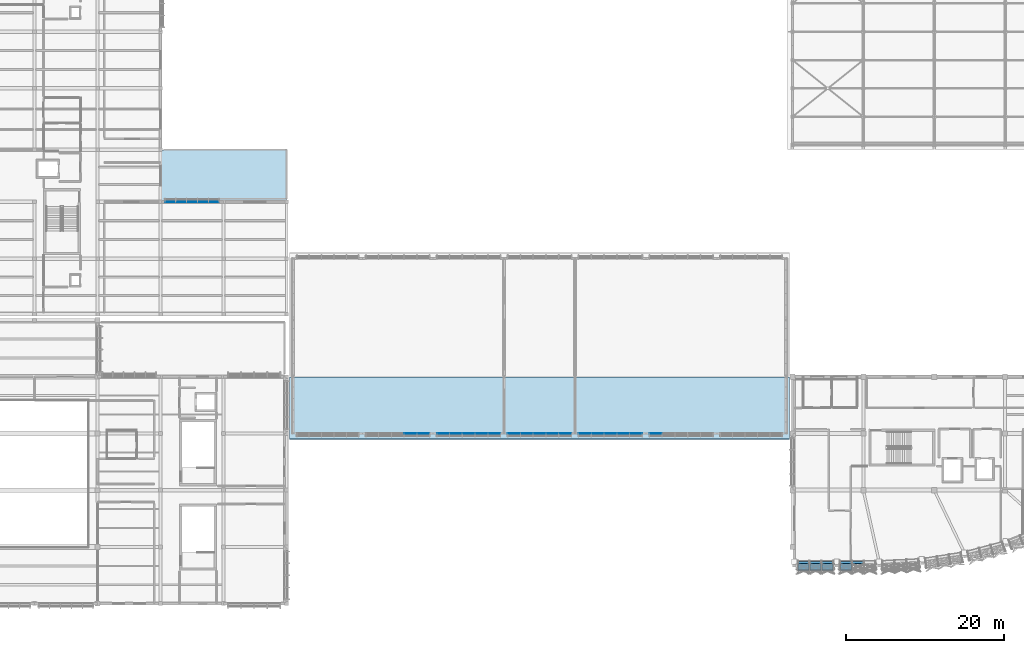
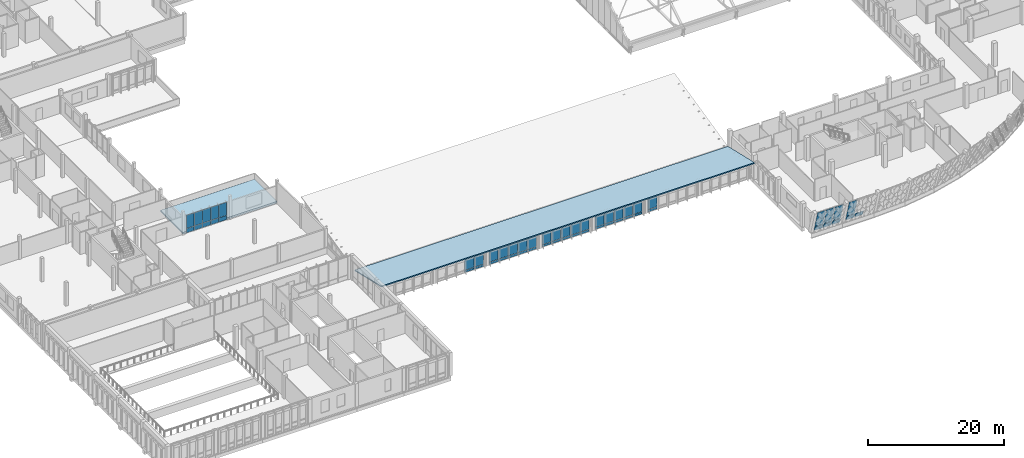
# One storey, part 147 of 182: 55 plates, 2 slabs, 8 elements without a shape of their own.
"""IFC4 building model written with IfcOpenShell, lengths in metres."""

import ifcopenshell
import ifcopenshell.guid

model = None  # the IFC model being written
_history = None  # IfcOwnerHistory: only IFC2X3 demands one
_inside = {}  # id of a spatial element -> (the spatial element, [elements in it])
_under = {}  # id of a project, library or spatial element -> (it, [spatial elements below it])
_declared = {}  # id of a project -> (the project, [libraries it declares])
_typed = {}  # id of a type object -> (the type object, [elements of that type])
_made_of = {}  # id of a material, layer set ... -> (it, [elements and type objects made of it])


def new_model(schema):
    """Start an empty IFC model of exactly this schema.

    Asked for "IFC4X3", IfcOpenShell would pick the latest addendum, in which some entities
    have other attributes; the version numbers below select the first issue.
    IFC2X3 requires an IfcOwnerHistory on every rooted entity: one is made here for all.
    """
    global model, _history
    if schema == "IFC4X3":
        model = ifcopenshell.file(schema_version=(4, 3, 0, 0))
    else:
        model = ifcopenshell.file(schema=schema)
    _inside.clear()
    _under.clear()
    _declared.clear()
    _typed.clear()
    _made_of.clear()
    _history = None
    if model.schema == "IFC2X3":
        org = make("IfcOrganization", Name="unknown")
        user = make(
            "IfcPersonAndOrganization",
            ThePerson=make("IfcPerson", FamilyName="unknown"),
            TheOrganization=org,
        )
        app = make(
            "IfcApplication",
            ApplicationDeveloper=org,
            Version="unknown",
            ApplicationFullName="unknown",
            ApplicationIdentifier="unknown",
        )
        _history = make(
            "IfcOwnerHistory",
            OwningUser=user,
            OwningApplication=app,
            ChangeAction="ADDED",
            CreationDate=0,
        )
    return model


def make(cls, **values):
    """One entity of the class cls with the attributes given. An attribute that is None is left unset."""
    return model.create_entity(
        cls, **{name: value for name, value in values.items() if value is not None}
    )


def rooted(cls, **values):
    """An entity with a GlobalId (a new one), such as an element, a storey or a relation."""
    return make(cls, GlobalId=ifcopenshell.guid.new(), OwnerHistory=_history, **values)


def si_unit(unit_type, name, prefix=None):
    """IfcSIUnit, for example si_unit("LENGTHUNIT", "METRE", prefix="MILLI")."""
    return make("IfcSIUnit", UnitType=unit_type, Prefix=prefix, Name=name)


def assignment(units):
    """IfcUnitAssignment: the units of a project."""
    return None if units is None else make("IfcUnitAssignment", Units=units)


def point(xyz):
    """IfcCartesianPoint."""
    return None if xyz is None else make("IfcCartesianPoint", Coordinates=xyz)


def direction(xyz):
    """IfcDirection."""
    return None if xyz is None else make("IfcDirection", DirectionRatios=xyz)


def frame(location, z_axis=None, x_axis=None):
    """IfcAxis2Placement3D, a coordinate frame: its origin and axes. An axis left out is left unset."""
    return make(
        "IfcAxis2Placement3D",
        Location=point(location),
        Axis=direction(z_axis),
        RefDirection=direction(x_axis),
    )


def frame_2d(location, x_axis=None):
    """IfcAxis2Placement2D, a coordinate frame in the plane: its origin and x axis."""
    return make(
        "IfcAxis2Placement2D", Location=point(location), RefDirection=direction(x_axis)
    )


def origin():
    """The frame at (0, 0, 0) with its axes left unset."""
    return frame((0.0, 0.0, 0.0))


def origin_2d():
    """The frame at (0, 0) in the plane with its x axis left unset."""
    return frame_2d((0.0, 0.0))


def place(relative_to, where):
    """IfcLocalPlacement: puts the frame where relative to a parent placement (None: the world)."""
    return make(
        "IfcLocalPlacement", PlacementRelTo=relative_to, RelativePlacement=where
    )


def context(
    kind, dimensions, precision=None, world=None, true_north=None, identifier=None
):
    """IfcGeometricRepresentationContext, for example the 3D "Model" context."""
    return make(
        "IfcGeometricRepresentationContext",
        ContextIdentifier=identifier,
        ContextType=kind,
        CoordinateSpaceDimension=dimensions,
        Precision=precision,
        WorldCoordinateSystem=world,
        TrueNorth=true_north,
    )


def subcontext(parent, identifier, kind, view, scale=None):
    """IfcGeometricRepresentationSubContext, for example "Body" below "Model"."""
    return make(
        "IfcGeometricRepresentationSubContext",
        ContextIdentifier=identifier,
        ContextType=kind,
        ParentContext=parent,
        TargetScale=scale,
        TargetView=view,
    )


def project(units=None, contexts=None):
    """IfcProject with its units and contexts."""
    return rooted(
        "IfcProject",
        Name="project",
        RepresentationContexts=contexts,
        UnitsInContext=assignment(units),
    )


def spatial(cls, under=None, at=None, **own):
    """A site, building, storey or space (cls), placed at a placement, below another one or the project."""
    s = rooted(cls, ObjectPlacement=at, **own)
    if under is not None:
        _under.setdefault(under.id(), (under, []))[1].append(s)
    return s


def polyline(points):
    """IfcPolyline through the points."""
    return make("IfcPolyline", Points=[point(p) for p in points])


def profile(cls, at=None, kind="AREA", **sizes):
    """A parametric profile (cls). Its sizes go by their IFC names, for example OverallWidth=200.0."""
    return make(cls, ProfileType=kind, Position=at, **sizes)


def rectangle(**sizes):
    """IfcRectangleProfileDef."""
    return profile("IfcRectangleProfileDef", **sizes)


def outline(outer, holes=None, kind="AREA"):
    """IfcArbitraryClosedProfileDef: a profile drawn as a closed curve; with holes, ...WithVoids."""
    if holes is None:
        return make("IfcArbitraryClosedProfileDef", ProfileType=kind, OuterCurve=outer)
    return make(
        "IfcArbitraryProfileDefWithVoids",
        ProfileType=kind,
        OuterCurve=outer,
        InnerCurves=holes,
    )


def extrude(swept, where, along, depth):
    """IfcExtrudedAreaSolid: the profile swept, set in the frame where, extruded along a direction by depth."""
    return make(
        "IfcExtrudedAreaSolid",
        SweptArea=swept,
        Position=where,
        ExtrudedDirection=direction(along),
        Depth=depth,
    )


def shape(context_of_items, identifier, shape_type, items):
    """IfcShapeRepresentation: the items that make up one representation, for example the "Body"."""
    return make(
        "IfcShapeRepresentation",
        ContextOfItems=context_of_items,
        RepresentationIdentifier=identifier,
        RepresentationType=shape_type,
        Items=items,
    )


def material(Name=None, Category=None):
    """IfcMaterial."""
    return make("IfcMaterial", Name=Name, Category=Category)


def layer(
    of_material, thickness, ventilated=None, Name=None, Category=None, Priority=None
):
    """IfcMaterialLayer: one layer of a wall or slab, of a material (None: an air gap)."""
    return make(
        "IfcMaterialLayer",
        Material=of_material,
        LayerThickness=thickness,
        IsVentilated=ventilated,
        Name=Name,
        Category=Category,
        Priority=Priority,
    )


def layer_set(layers, Name=None):
    """IfcMaterialLayerSet."""
    return make("IfcMaterialLayerSet", MaterialLayers=layers, LayerSetName=Name)


def made_of(thing, what):
    """Note that an element or type object is made of a material, layer set ...; save() writes the relation."""
    if what is not None:
        _made_of.setdefault(what.id(), (what, []))[1].append(thing)
    return thing


def type_object(cls, material=None, **own):
    """A type object (cls), such as IfcWallType, which elements share."""
    return made_of(rooted(cls, **own), material)


def element(
    cls,
    number,
    at=None,
    inside=None,
    cuts=None,
    type_object=None,
    material=None,
    context=None,
    identifier="Body",
    shape_type=None,
    held_by="IfcProductDefinitionShape",
    body=None,
    shapes=None,
    **own,
):
    """One element of the class cls, such as IfcWall. Its Tag is "e" and its number.

    at: its placement. inside: the storey or other place that contains it. cuts: it is an
    opening in that element (IfcRelVoidsElement). A single representation is given by context,
    identifier, shape_type and body (its items); several are given by shapes. held_by: the class
    of the entity that holds the representations. save() writes the other relations.
    """
    e = rooted(cls, Tag="e%d" % number, ObjectPlacement=at, **own)
    if body is not None:
        shapes = [shape(context, identifier, shape_type, body)]
    if shapes is not None:
        e.Representation = make(held_by, Representations=shapes)
    if inside is not None:
        _inside.setdefault(inside.id(), (inside, []))[1].append(e)
    if cuts is not None:
        rooted(
            "IfcRelVoidsElement", RelatingBuildingElement=cuts, RelatedOpeningElement=e
        )
    if type_object is not None:
        _typed.setdefault(type_object.id(), (type_object, []))[1].append(e)
    return made_of(e, material)


def aggregate(whole, parts):
    """IfcRelAggregates: a whole, such as a stair, and the parts it consists of."""
    return rooted("IfcRelAggregates", RelatingObject=whole, RelatedObjects=parts)


def save(model, path):
    """Write the relations noted so far, then the file.

    IfcRelAggregates (storeys below a building ...), IfcRelContainedInSpatialStructure (elements
    in a storey), IfcRelDefinesByType, IfcRelAssociatesMaterial and IfcRelDeclares: one each for
    every whole, place, type object, material and project.
    """
    for whole, parts in _under.values():
        aggregate(whole, parts)
    for where, things in _inside.values():
        rooted(
            "IfcRelContainedInSpatialStructure",
            RelatedElements=things,
            RelatingStructure=where,
        )
    for kind, things in _typed.values():
        rooted("IfcRelDefinesByType", RelatedObjects=things, RelatingType=kind)
    for what, things in _made_of.values():
        rooted("IfcRelAssociatesMaterial", RelatedObjects=things, RelatingMaterial=what)
    for by, libraries in _declared.values():
        rooted("IfcRelDeclares", RelatingContext=by, RelatedDefinitions=libraries)
    model.write(path)


model = new_model("IFC4")

# Units and contexts
model_context = context("Model", 3, precision=1e-05, world=origin(), true_north=direction((0.0, 1.0)))
body_context = subcontext(model_context, "Body", "Model", "MODEL_VIEW")
ifc_project = project(units=[si_unit("LENGTHUNIT", "METRE"), si_unit("AREAUNIT", "SQUARE_METRE"), si_unit("VOLUMEUNIT", "CUBIC_METRE"), si_unit("PLANEANGLEUNIT", "RADIAN"), si_unit("MASSUNIT", "GRAM", prefix="KILO")], contexts=[model_context])

# Site, building, storey
site_placement = place(None, origin())
site = spatial("IfcSite", under=ifc_project, at=site_placement, CompositionType="ELEMENT")
building_placement = place(site_placement, origin())
building = spatial("IfcBuilding", under=site, at=building_placement, Name="Chiffa Square Polytechnic", CompositionType="ELEMENT")
storey_placement = place(building_placement, frame((0.0, 0.0, 9.60009765625)))
storey = spatial("IfcBuildingStorey", under=building, at=storey_placement, Name="L02", CompositionType="ELEMENT", Elevation=9.60009765625)

# Curtain wall, plate
ifc_material_1 = material(Name="Aluminium EN AW-6060 T66 and glulam shading", Category="wood")
curtain_wall_type_1 = type_object("IfcCurtainWallType", Name="CW-PROW-LEAN-300", PredefinedType="USERDEFINED", material=ifc_material_1)
curtain_wall_1_placement = place(storey_placement, origin())
curtain_wall_1 = element("IfcCurtainWall", 1, at=curtain_wall_1_placement, inside=storey, type_object=curtain_wall_type_1, Name="Outward-leaning diamond-fin prow curtain wall CW-V1-L02-028", ObjectType="CURTAIN WALL", PredefinedType="USERDEFINED")
ifc_material_2 = material(Name="Double glazing", Category="glass")
ifc_layer_1 = layer(ifc_material_2, 0.0380859375, Name="Double glazing")
ifc_layer_set_1 = layer_set([ifc_layer_1], Name="Double glazing")
plate_type_1 = type_object("IfcPlateType", Name="CWP-GLZ-148X142", PredefinedType="CURTAIN_PANEL", material=ifc_layer_set_1)
plate_1_placement = place(storey_placement, frame((118.30908203125, 5.1015625, 0.8779296875), z_axis=(0.0, 0.96221720847, 0.272283021364), x_axis=(1.0, 0.0, 0.0)))
plate_1 = element("IfcPlate", 2, at=plate_1_placement, type_object=plate_type_1, Name="Leaning prow curtain panel CW-V1-L02-028-PN01", PredefinedType="CURTAIN_PANEL", context=body_context, shape_type="SweptSolid", body=[
    extrude(outline(polyline([(0.0, 0.0), (1.396728515625, 0.0), (1.396728515625, -3.1355600556614216), (0.0, -3.1355600556614216), (0.0, 0.0)])), origin(), (0.0, 0.0, -1.0), 0.0380859375),
])

# Curtain wall, plates
curtain_wall_type_2 = type_object("IfcCurtainWallType", Name="CW-VERT-540X440", PredefinedType="USERDEFINED", material=ifc_material_1)
curtain_wall_2_placement = place(storey_placement, origin())
curtain_wall_2 = element("IfcCurtainWall", 3, at=curtain_wall_2_placement, inside=storey, type_object=curtain_wall_type_2, Name="Curtain wall CW-V6-L02-263", ObjectType="CURTAIN WALL", PredefinedType="USERDEFINED")
ifc_layer_2 = layer(ifc_material_2, 0.035888671875, Name="Double glazing")
ifc_layer_set_2 = layer_set([ifc_layer_2], Name="Double glazing")
plate_type_2 = type_object("IfcPlateType", Name="CWP-GLZ-150X125", PredefinedType="CURTAIN_PANEL", material=ifc_layer_set_2)
plate_2_placement = place(storey_placement, frame((38.757080078125, 51.0, 0.83935546875), z_axis=(0.0, 0.0, 1.0), x_axis=(-1.0, 0.0, 0.0)))
plate_2 = element("IfcPlate", 4, at=plate_2_placement, type_object=plate_type_2, Name="Glazed curtain panel CW-V6-L02-263-PN01", PredefinedType="CURTAIN_PANEL", context=body_context, shape_type="SweptSolid", body=[
    extrude(rectangle(XDim=1.31005859375, YDim=0.035888671875, at=origin_2d()), origin(), (0.0, 0.0, 1.0), 2.3349609375),
])
plate_3_placement = place(storey_placement, frame((37.384033203125, 51.0, 0.83935546875), z_axis=(0.0, 0.0, 1.0), x_axis=(-1.0, 0.0, 0.0)))
plate_3 = element("IfcPlate", 5, at=plate_3_placement, type_object=plate_type_2, Name="Glazed curtain panel CW-V6-L02-263-PN02", PredefinedType="CURTAIN_PANEL", context=body_context, shape_type="SweptSolid", body=[
    extrude(rectangle(XDim=1.33203125, YDim=0.035888671875, at=origin_2d()), origin(), (0.0, 0.0, 1.0), 2.3349609375),
])
plate_4_placement = place(storey_placement, frame((36.0, 51.0, 0.83935546875), z_axis=(0.0, 0.0, 1.0), x_axis=(-1.0, 0.0, 0.0)))
plate_4 = element("IfcPlate", 6, at=plate_4_placement, type_object=plate_type_2, Name="Glazed curtain panel CW-V6-L02-263-PN03", PredefinedType="CURTAIN_PANEL", context=body_context, shape_type="SweptSolid", body=[
    extrude(rectangle(XDim=1.33203125, YDim=0.035888671875, at=origin_2d()), origin(), (0.0, 0.0, 1.0), 2.3349609375),
])
plate_5_placement = place(storey_placement, frame((34.615966796875, 51.0, 0.83935546875), z_axis=(0.0, 0.0, 1.0), x_axis=(-1.0, 0.0, 0.0)))
plate_5 = element("IfcPlate", 7, at=plate_5_placement, type_object=plate_type_2, Name="Glazed curtain panel CW-V6-L02-263-PN04", PredefinedType="CURTAIN_PANEL", context=body_context, shape_type="SweptSolid", body=[
    extrude(rectangle(XDim=1.33203125, YDim=0.035888671875, at=origin_2d()), origin(), (0.0, 0.0, 1.0), 2.3349609375),
])
plate_6_placement = place(storey_placement, frame((33.242919921875, 51.0, 0.83935546875), z_axis=(0.0, 0.0, 1.0), x_axis=(-1.0, 0.0, 0.0)))
plate_6 = element("IfcPlate", 8, at=plate_6_placement, type_object=plate_type_2, Name="Glazed curtain panel CW-V6-L02-263-PN05", PredefinedType="CURTAIN_PANEL", context=body_context, shape_type="SweptSolid", body=[
    extrude(rectangle(XDim=1.31005859375, YDim=0.035888671875, at=origin_2d()), origin(), (0.0, 0.0, 1.0), 2.3349609375),
])

curtain_wall_type_3 = type_object("IfcCurtainWallType", Name="CW-VERT-450X380", PredefinedType="USERDEFINED", material=ifc_material_1)
curtain_wall_3_placement = place(storey_placement, origin())
curtain_wall_3 = element("IfcCurtainWall", 9, at=curtain_wall_3_placement, inside=storey, type_object=curtain_wall_type_3, Name="Curtain wall CW-V4-CLRS-02", ObjectType="CURTAIN WALL", PredefinedType="USERDEFINED")
ifc_layer_3 = layer(ifc_material_2, 0.035888671875, Name="Double glazing")
ifc_layer_set_3 = layer_set([ifc_layer_3], Name="Double glazing")
plate_type_3 = type_object("IfcPlateType", Name="CWP-GLZ-150X145", PredefinedType="CURTAIN_PANEL", material=ifc_layer_set_3)
plate_7_placement = place(storey_placement, frame((63.72412109375, 21.60009765625, 0.509765625), z_axis=(0.0, 0.0, 1.0), x_axis=(1.0, 0.0, 0.0)))
plate_7 = element("IfcPlate", 10, at=plate_7_placement, type_object=plate_type_3, Name="Glazed curtain panel CW-V4-CLRS-02-PN04", PredefinedType="CURTAIN_PANEL", context=body_context, shape_type="SweptSolid", body=[
    extrude(rectangle(XDim=1.572021484375, YDim=0.035888671875, at=origin_2d()), origin(), (0.0, 0.0, 1.0), 2.382080078125),
])
plate_8_placement = place(storey_placement, frame((65.3369140625, 21.60009765625, 0.509765625), z_axis=(0.0, 0.0, 1.0), x_axis=(1.0, 0.0, 0.0)))
plate_8 = element("IfcPlate", 11, at=plate_8_placement, type_object=plate_type_3, Name="Glazed curtain panel CW-V4-CLRS-02-PN05", PredefinedType="CURTAIN_PANEL", context=body_context, shape_type="SweptSolid", body=[
    extrude(rectangle(XDim=1.550048828125, YDim=0.035888671875, at=origin_2d()), origin(), (0.0, 0.0, 1.0), 2.382080078125),
])

curtain_wall_type_4 = type_object("IfcCurtainWallType", Name="CW-VERT-300X380", PredefinedType="USERDEFINED", material=ifc_material_1)
curtain_wall_4_placement = place(storey_placement, origin())
curtain_wall_4 = element("IfcCurtainWall", 12, at=curtain_wall_4_placement, inside=storey, type_object=curtain_wall_type_4, Name="Curtain wall CW-V4-CLRS-03", ObjectType="CURTAIN WALL", PredefinedType="USERDEFINED")
plate_9_placement = place(storey_placement, frame((67.863037109375, 21.60009765625, 0.509765625), z_axis=(0.0, 0.0, 1.0), x_axis=(1.0, 0.0, 0.0)))
plate_9 = element("IfcPlate", 13, at=plate_9_placement, type_object=plate_type_3, Name="Glazed curtain panel CW-V4-CLRS-03-PN01", PredefinedType="CURTAIN_PANEL", context=body_context, shape_type="SweptSolid", body=[
    extrude(rectangle(XDim=1.550048828125, YDim=0.035888671875, at=origin_2d()), origin(), (0.0, 0.0, 1.0), 2.382080078125),
])
plate_10_placement = place(storey_placement, frame((69.47607421875, 21.60009765625, 0.509765625), z_axis=(0.0, 0.0, 1.0), x_axis=(1.0, 0.0, 0.0)))
plate_10 = element("IfcPlate", 14, at=plate_10_placement, type_object=plate_type_3, Name="Glazed curtain panel CW-V4-CLRS-03-PN02", PredefinedType="CURTAIN_PANEL", context=body_context, shape_type="SweptSolid", body=[
    extrude(rectangle(XDim=1.572021484375, YDim=0.035888671875, at=origin_2d()), origin(), (0.0, 0.0, 1.0), 2.382080078125),
])
plate_11_placement = place(storey_placement, frame((71.10009765625, 21.60009765625, 0.509765625), z_axis=(0.0, 0.0, 1.0), x_axis=(1.0, 0.0, 0.0)))
plate_11 = element("IfcPlate", 15, at=plate_11_placement, type_object=plate_type_3, Name="Glazed curtain panel CW-V4-CLRS-03-PN03", PredefinedType="CURTAIN_PANEL", context=body_context, shape_type="SweptSolid", body=[
    extrude(rectangle(XDim=1.572021484375, YDim=0.035888671875, at=origin_2d()), origin(), (0.0, 0.0, 1.0), 2.382080078125),
])
plate_12_placement = place(storey_placement, frame((72.72412109375, 21.60009765625, 0.509765625), z_axis=(0.0, 0.0, 1.0), x_axis=(1.0, 0.0, 0.0)))
plate_12 = element("IfcPlate", 16, at=plate_12_placement, type_object=plate_type_3, Name="Glazed curtain panel CW-V4-CLRS-03-PN04", PredefinedType="CURTAIN_PANEL", context=body_context, shape_type="SweptSolid", body=[
    extrude(rectangle(XDim=1.572021484375, YDim=0.035888671875, at=origin_2d()), origin(), (0.0, 0.0, 1.0), 2.382080078125),
])
plate_13_placement = place(storey_placement, frame((74.3369140625, 21.60009765625, 0.509765625), z_axis=(0.0, 0.0, 1.0), x_axis=(1.0, 0.0, 0.0)))
plate_13 = element("IfcPlate", 17, at=plate_13_placement, type_object=plate_type_3, Name="Glazed curtain panel CW-V4-CLRS-03-PN05", PredefinedType="CURTAIN_PANEL", context=body_context, shape_type="SweptSolid", body=[
    extrude(rectangle(XDim=1.550048828125, YDim=0.035888671875, at=origin_2d()), origin(), (0.0, 0.0, 1.0), 2.382080078125),
])

curtain_wall_type_5 = type_object("IfcCurtainWallType", Name="CW-VERT-600X380", PredefinedType="USERDEFINED", material=ifc_material_1)
curtain_wall_5_placement = place(storey_placement, origin())
curtain_wall_5 = element("IfcCurtainWall", 18, at=curtain_wall_5_placement, inside=storey, type_object=curtain_wall_type_5, Name="Curtain wall CW-V4-CLRS-04", ObjectType="CURTAIN WALL", PredefinedType="USERDEFINED")
plate_14_placement = place(storey_placement, frame((76.863037109375, 21.60009765625, 0.509765625), z_axis=(0.0, 0.0, 1.0), x_axis=(1.0, 0.0, 0.0)))
plate_14 = element("IfcPlate", 19, at=plate_14_placement, type_object=plate_type_3, Name="Glazed curtain panel CW-V4-CLRS-04-PN01", PredefinedType="CURTAIN_PANEL", context=body_context, shape_type="SweptSolid", body=[
    extrude(rectangle(XDim=1.550048828125, YDim=0.035888671875, at=origin_2d()), origin(), (0.0, 0.0, 1.0), 2.382080078125),
])
plate_15_placement = place(storey_placement, frame((78.47607421875, 21.60009765625, 0.509765625), z_axis=(0.0, 0.0, 1.0), x_axis=(1.0, 0.0, 0.0)))
plate_15 = element("IfcPlate", 20, at=plate_15_placement, type_object=plate_type_3, Name="Glazed curtain panel CW-V4-CLRS-04-PN02", PredefinedType="CURTAIN_PANEL", context=body_context, shape_type="SweptSolid", body=[
    extrude(rectangle(XDim=1.572021484375, YDim=0.035888671875, at=origin_2d()), origin(), (0.0, 0.0, 1.0), 2.382080078125),
])
plate_16_placement = place(storey_placement, frame((80.10009765625, 21.60009765625, 0.509765625), z_axis=(0.0, 0.0, 1.0), x_axis=(1.0, 0.0, 0.0)))
plate_16 = element("IfcPlate", 21, at=plate_16_placement, type_object=plate_type_3, Name="Glazed curtain panel CW-V4-CLRS-04-PN03", PredefinedType="CURTAIN_PANEL", context=body_context, shape_type="SweptSolid", body=[
    extrude(rectangle(XDim=1.572021484375, YDim=0.035888671875, at=origin_2d()), origin(), (0.0, 0.0, 1.0), 2.382080078125),
])
plate_17_placement = place(storey_placement, frame((81.72412109375, 21.60009765625, 0.509765625), z_axis=(0.0, 0.0, 1.0), x_axis=(1.0, 0.0, 0.0)))
plate_17 = element("IfcPlate", 22, at=plate_17_placement, type_object=plate_type_3, Name="Glazed curtain panel CW-V4-CLRS-04-PN04", PredefinedType="CURTAIN_PANEL", context=body_context, shape_type="SweptSolid", body=[
    extrude(rectangle(XDim=1.572021484375, YDim=0.035888671875, at=origin_2d()), origin(), (0.0, 0.0, 1.0), 2.382080078125),
])
plate_18_placement = place(storey_placement, frame((83.3369140625, 21.60009765625, 0.509765625), z_axis=(0.0, 0.0, 1.0), x_axis=(1.0, 0.0, 0.0)))
plate_18 = element("IfcPlate", 23, at=plate_18_placement, type_object=plate_type_3, Name="Glazed curtain panel CW-V4-CLRS-04-PN05", PredefinedType="CURTAIN_PANEL", context=body_context, shape_type="SweptSolid", body=[
    extrude(rectangle(XDim=1.550048828125, YDim=0.035888671875, at=origin_2d()), origin(), (0.0, 0.0, 1.0), 2.382080078125),
])

curtain_wall_type_6 = type_object("IfcCurtainWallType", Name="CW-VERT-360X380", PredefinedType="USERDEFINED", material=ifc_material_1)
curtain_wall_6_placement = place(storey_placement, origin())
curtain_wall_6 = element("IfcCurtainWall", 24, at=curtain_wall_6_placement, inside=storey, type_object=curtain_wall_type_6, Name="Curtain wall CW-V4-CLRS-05", ObjectType="CURTAIN WALL", PredefinedType="USERDEFINED")
plate_19_placement = place(storey_placement, frame((85.863037109375, 21.60009765625, 0.509765625), z_axis=(0.0, 0.0, 1.0), x_axis=(1.0, 0.0, 0.0)))
plate_19 = element("IfcPlate", 25, at=plate_19_placement, type_object=plate_type_3, Name="Glazed curtain panel CW-V4-CLRS-05-PN01", PredefinedType="CURTAIN_PANEL", context=body_context, shape_type="SweptSolid", body=[
    extrude(rectangle(XDim=1.550048828125, YDim=0.035888671875, at=origin_2d()), origin(), (0.0, 0.0, 1.0), 2.382080078125),
])
plate_20_placement = place(storey_placement, frame((87.47607421875, 21.60009765625, 0.509765625), z_axis=(0.0, 0.0, 1.0), x_axis=(1.0, 0.0, 0.0)))
plate_20 = element("IfcPlate", 26, at=plate_20_placement, type_object=plate_type_3, Name="Glazed curtain panel CW-V4-CLRS-05-PN02", PredefinedType="CURTAIN_PANEL", context=body_context, shape_type="SweptSolid", body=[
    extrude(rectangle(XDim=1.572021484375, YDim=0.035888671875, at=origin_2d()), origin(), (0.0, 0.0, 1.0), 2.382080078125),
])
plate_21_placement = place(storey_placement, frame((89.10009765625, 21.60009765625, 0.509765625), z_axis=(0.0, 0.0, 1.0), x_axis=(1.0, 0.0, 0.0)))
plate_21 = element("IfcPlate", 27, at=plate_21_placement, type_object=plate_type_3, Name="Glazed curtain panel CW-V4-CLRS-05-PN03", PredefinedType="CURTAIN_PANEL", context=body_context, shape_type="SweptSolid", body=[
    extrude(rectangle(XDim=1.572021484375, YDim=0.035888671875, at=origin_2d()), origin(), (0.0, 0.0, 1.0), 2.382080078125),
])
plate_22_placement = place(storey_placement, frame((90.72412109375, 21.60009765625, 0.509765625), z_axis=(0.0, 0.0, 1.0), x_axis=(1.0, 0.0, 0.0)))
plate_22 = element("IfcPlate", 28, at=plate_22_placement, type_object=plate_type_3, Name="Glazed curtain panel CW-V4-CLRS-05-PN04", PredefinedType="CURTAIN_PANEL", context=body_context, shape_type="SweptSolid", body=[
    extrude(rectangle(XDim=1.572021484375, YDim=0.035888671875, at=origin_2d()), origin(), (0.0, 0.0, 1.0), 2.382080078125),
])
plate_23_placement = place(storey_placement, frame((92.3369140625, 21.60009765625, 0.509765625), z_axis=(0.0, 0.0, 1.0), x_axis=(1.0, 0.0, 0.0)))
plate_23 = element("IfcPlate", 29, at=plate_23_placement, type_object=plate_type_3, Name="Glazed curtain panel CW-V4-CLRS-05-PN05", PredefinedType="CURTAIN_PANEL", context=body_context, shape_type="SweptSolid", body=[
    extrude(rectangle(XDim=1.550048828125, YDim=0.035888671875, at=origin_2d()), origin(), (0.0, 0.0, 1.0), 2.382080078125),
])

# Curtain wall, plate
curtain_wall_type_7 = type_object("IfcCurtainWallType", Name="CW-VERT-480X380", PredefinedType="USERDEFINED", material=ifc_material_1)
curtain_wall_7_placement = place(storey_placement, origin())
curtain_wall_7 = element("IfcCurtainWall", 30, at=curtain_wall_7_placement, inside=storey, type_object=curtain_wall_type_7, Name="Curtain wall CW-V4-CLRS-06", ObjectType="CURTAIN WALL", PredefinedType="USERDEFINED")
plate_24_placement = place(storey_placement, frame((94.863037109375, 21.60009765625, 0.509765625), z_axis=(0.0, 0.0, 1.0), x_axis=(1.0, 0.0, 0.0)))
plate_24 = element("IfcPlate", 31, at=plate_24_placement, type_object=plate_type_3, Name="Glazed curtain panel CW-V4-CLRS-06-PN01", PredefinedType="CURTAIN_PANEL", context=body_context, shape_type="SweptSolid", body=[
    extrude(rectangle(XDim=1.550048828125, YDim=0.035888671875, at=origin_2d()), origin(), (0.0, 0.0, 1.0), 2.382080078125),
])

# Curtain wall, plates
curtain_wall_type_8 = type_object("IfcCurtainWallType", Name="CW-PROW-LEAN-150", PredefinedType="USERDEFINED", material=ifc_material_1)
curtain_wall_8_placement = place(storey_placement, origin())
curtain_wall_8 = element("IfcCurtainWall", 32, at=curtain_wall_8_placement, inside=storey, type_object=curtain_wall_type_8, Name="Outward-leaning diamond-fin prow curtain wall CW-V1-L02-027", ObjectType="CURTAIN WALL", PredefinedType="USERDEFINED")
ifc_layer_4 = layer(ifc_material_2, 0.035888671875, Name="Double glazing")
ifc_layer_set_4 = layer_set([ifc_layer_4], Name="Double glazing")
plate_type_4 = type_object("IfcPlateType", Name="CWP-GLZ-180X140", PredefinedType="CURTAIN_PANEL", material=ifc_layer_set_4)
plate_25_placement = place(storey_placement, frame((112.93408203125, 5.1015625, 0.8779296875), z_axis=(0.0, 0.96221720847, 0.272283021364), x_axis=(1.0, 0.0, 0.0)))
plate_25 = element("IfcPlate", 33, at=plate_25_placement, type_object=plate_type_4, Name="Leaning prow curtain panel CW-V1-L02-027-PN01", PredefinedType="CURTAIN_PANEL", context=body_context, shape_type="SweptSolid", body=[
    extrude(outline(polyline([(0.0, 0.0), (1.396728515625, 0.0), (1.396728515625, -3.1355600556614216), (0.0, -3.1355600556614216), (0.0, 0.0)])), origin(), (0.0, 0.0, -1.0), 0.035888671875),
])
plate_26_placement = place(storey_placement, frame((114.439208984375, 5.1015625, 0.8779296875), z_axis=(0.0, 0.96221720847, 0.272283021364), x_axis=(1.0, 0.0, 0.0)))
plate_26 = element("IfcPlate", 34, at=plate_26_placement, type_object=plate_type_4, Name="Leaning prow curtain panel CW-V1-L02-027-PN02", PredefinedType="CURTAIN_PANEL", context=body_context, shape_type="SweptSolid", body=[
    extrude(outline(polyline([(0.0, 0.0), (1.396484375, 0.0), (1.396484375, -3.135560055661421), (0.0, -3.135560055661421), (0.0, 0.0)])), origin(), (0.0, 0.0, -1.0), 0.035888671875),
])
plate_27_placement = place(storey_placement, frame((115.944091796875, 5.1015625, 0.8779296875), z_axis=(0.0, 0.96221720847, 0.272283021364), x_axis=(1.0, 0.0, 0.0)))
plate_27 = element("IfcPlate", 35, at=plate_27_placement, type_object=plate_type_4, Name="Leaning prow curtain panel CW-V1-L02-027-PN03", PredefinedType="CURTAIN_PANEL", context=body_context, shape_type="SweptSolid", body=[
    extrude(outline(polyline([(0.0, 0.0), (1.396728515625, 0.0), (1.396728515625, -3.1355600556614216), (0.0, -3.1355600556614216), (0.0, 0.0)])), origin(), (0.0, 0.0, -1.0), 0.035888671875),
])

# Plate
ifc_material_3 = material(Name="Aluminium insulated spandrel", Category="aluminium")
ifc_layer_5 = layer(ifc_material_3, 0.070068359375, Name="Aluminium insulated spandrel")
ifc_layer_set_5 = layer_set([ifc_layer_5], Name="Aluminium insulated spandrel")
plate_type_5 = type_object("IfcPlateType", Name="CWP-SPN-138X074", PredefinedType="SHEET", material=ifc_layer_set_5)
plate_28_placement = place(storey_placement, frame((118.30908203125, 5.3359375, 0.0498046875), z_axis=(0.0, 0.962221084479, 0.27226932362), x_axis=(1.0, 0.0, 0.0)))
plate_28 = element("IfcPlate", 36, at=plate_28_placement, type_object=plate_type_5, Name="Leaning prow curtain panel CW-V1-L02-028-SP01", PredefinedType="SHEET", context=body_context, shape_type="SweptSolid", body=[
    extrude(outline(polyline([(0.0, 0.0), (1.396728515625, 0.0), (1.396728515625, -0.8025357262808257), (0.0, -0.8025357262808257), (0.0, 0.0)])), origin(), (0.0, 0.0, -1.0), 0.070068359375),
])

plate_29_placement = place(storey_placement, frame((119.814208984375, 5.3359375, 0.0498046875), z_axis=(0.0, 0.962221084479, 0.27226932362), x_axis=(1.0, 0.0, 0.0)))
plate_29 = element("IfcPlate", 37, at=plate_29_placement, type_object=plate_type_5, Name="Leaning prow curtain panel CW-V1-L02-028-SP02", PredefinedType="SHEET", context=body_context, shape_type="SweptSolid", body=[
    extrude(outline(polyline([(0.0, 0.0), (1.396484375, 0.0), (1.396484375, -0.8025357262808256), (0.0, -0.8025357262808256), (0.0, 0.0)])), origin(), (0.0, 0.0, -1.0), 0.070068359375),
])

aggregate(curtain_wall_1, [plate_28, plate_1, plate_29])

ifc_layer_6 = layer(ifc_material_3, 0.068115234375, Name="Aluminium insulated spandrel")
ifc_layer_set_6 = layer_set([ifc_layer_6], Name="Aluminium insulated spandrel")
plate_type_6 = type_object("IfcPlateType", Name="CWP-SPN-140X076", PredefinedType="SHEET", material=ifc_layer_set_6)
plate_30_placement = place(storey_placement, frame((112.93408203125, 5.3359375, 0.0498046875), z_axis=(0.0, 0.962221084479, 0.27226932362), x_axis=(1.0, 0.0, 0.0)))
plate_30 = element("IfcPlate", 38, at=plate_30_placement, type_object=plate_type_6, Name="Leaning prow curtain panel CW-V1-L02-027-SP01", PredefinedType="SHEET", context=body_context, shape_type="SweptSolid", body=[
    extrude(outline(polyline([(0.0, 0.0), (1.396728515625, 0.0), (1.396728515625, -0.8025357262808257), (0.0, -0.8025357262808257), (0.0, 0.0)])), origin(), (0.0, 0.0, -1.0), 0.068115234375),
])

plate_31_placement = place(storey_placement, frame((114.439208984375, 5.3359375, 0.0498046875), z_axis=(0.0, 0.962221084479, 0.27226932362), x_axis=(1.0, 0.0, 0.0)))
plate_31 = element("IfcPlate", 39, at=plate_31_placement, type_object=plate_type_6, Name="Leaning prow curtain panel CW-V1-L02-027-SP02", PredefinedType="SHEET", context=body_context, shape_type="SweptSolid", body=[
    extrude(outline(polyline([(0.0, 0.0), (1.396484375, 0.0), (1.396484375, -0.8025357262808256), (0.0, -0.8025357262808256), (0.0, 0.0)])), origin(), (0.0, 0.0, -1.0), 0.068115234375),
])

plate_32_placement = place(storey_placement, frame((115.944091796875, 5.3359375, 0.0498046875), z_axis=(0.0, 0.962221084479, 0.27226932362), x_axis=(1.0, 0.0, 0.0)))
plate_32 = element("IfcPlate", 40, at=plate_32_placement, type_object=plate_type_6, Name="Leaning prow curtain panel CW-V1-L02-027-SP03", PredefinedType="SHEET", context=body_context, shape_type="SweptSolid", body=[
    extrude(outline(polyline([(0.0, 0.0), (1.396728515625, 0.0), (1.396728515625, -0.8025357262808257), (0.0, -0.8025357262808257), (0.0, 0.0)])), origin(), (0.0, 0.0, -1.0), 0.068115234375),
])

aggregate(curtain_wall_8, [plate_30, plate_25, plate_31, plate_26, plate_32, plate_27])

ifc_layer_7 = layer(ifc_material_3, 0.06005859375, Name="Aluminium insulated spandrel")
ifc_layer_set_7 = layer_set([ifc_layer_7], Name="Aluminium insulated spandrel")
plate_type_7 = type_object("IfcPlateType", Name="CWP-SPN-150X080", PredefinedType="SHEET", material=ifc_layer_set_7)
plate_33_placement = place(storey_placement, frame((38.757080078125, 51.0, 0.0498046875), z_axis=(0.0, 0.0, 1.0), x_axis=(-1.0, 0.0, 0.0)))
plate_33 = element("IfcPlate", 41, at=plate_33_placement, type_object=plate_type_7, Name="Spandrel panel CW-V6-L02-263-SP01", PredefinedType="SHEET", context=body_context, shape_type="SweptSolid", body=[
    extrude(rectangle(XDim=1.31005859375, YDim=0.06005859375, at=origin_2d()), origin(), (0.0, 0.0, 1.0), 0.75),
])

plate_34_placement = place(storey_placement, frame((37.384033203125, 51.0, 0.0498046875), z_axis=(0.0, 0.0, 1.0), x_axis=(-1.0, 0.0, 0.0)))
plate_34 = element("IfcPlate", 42, at=plate_34_placement, type_object=plate_type_7, Name="Spandrel panel CW-V6-L02-263-SP02", PredefinedType="SHEET", context=body_context, shape_type="SweptSolid", body=[
    extrude(rectangle(XDim=1.33203125, YDim=0.06005859375, at=origin_2d()), origin(), (0.0, 0.0, 1.0), 0.75),
])

plate_35_placement = place(storey_placement, frame((36.0, 51.0, 0.0498046875), z_axis=(0.0, 0.0, 1.0), x_axis=(-1.0, 0.0, 0.0)))
plate_35 = element("IfcPlate", 43, at=plate_35_placement, type_object=plate_type_7, Name="Spandrel panel CW-V6-L02-263-SP03", PredefinedType="SHEET", context=body_context, shape_type="SweptSolid", body=[
    extrude(rectangle(XDim=1.33203125, YDim=0.06005859375, at=origin_2d()), origin(), (0.0, 0.0, 1.0), 0.75),
])

plate_36_placement = place(storey_placement, frame((34.615966796875, 51.0, 0.0498046875), z_axis=(0.0, 0.0, 1.0), x_axis=(-1.0, 0.0, 0.0)))
plate_36 = element("IfcPlate", 44, at=plate_36_placement, type_object=plate_type_7, Name="Spandrel panel CW-V6-L02-263-SP04", PredefinedType="SHEET", context=body_context, shape_type="SweptSolid", body=[
    extrude(rectangle(XDim=1.33203125, YDim=0.06005859375, at=origin_2d()), origin(), (0.0, 0.0, 1.0), 0.75),
])

plate_37_placement = place(storey_placement, frame((33.242919921875, 51.0, 0.0498046875), z_axis=(0.0, 0.0, 1.0), x_axis=(-1.0, 0.0, 0.0)))
plate_37 = element("IfcPlate", 45, at=plate_37_placement, type_object=plate_type_7, Name="Spandrel panel CW-V6-L02-263-SP05", PredefinedType="SHEET", context=body_context, shape_type="SweptSolid", body=[
    extrude(rectangle(XDim=1.31005859375, YDim=0.06005859375, at=origin_2d()), origin(), (0.0, 0.0, 1.0), 0.75),
])

aggregate(curtain_wall_2, [plate_33, plate_2, plate_34, plate_3, plate_35, plate_4, plate_36, plate_5, plate_37, plate_6])

ifc_layer_8 = layer(ifc_material_3, 0.06005859375, Name="Aluminium insulated spandrel")
ifc_layer_set_8 = layer_set([ifc_layer_8], Name="Aluminium insulated spandrel")
plate_type_8 = type_object("IfcPlateType", Name="CWP-SPN-150X095", PredefinedType="SHEET", material=ifc_layer_set_8)
plate_38_placement = place(storey_placement, frame((63.72412109375, 21.60009765625, 0.08984375), z_axis=(0.0, 0.0, 1.0), x_axis=(1.0, 0.0, 0.0)))
plate_38 = element("IfcPlate", 46, at=plate_38_placement, type_object=plate_type_8, Name="Spandrel panel CW-V4-CLRS-02-SP04", PredefinedType="SHEET", context=body_context, shape_type="SweptSolid", body=[
    extrude(rectangle(XDim=1.572021484375, YDim=0.06005859375, at=origin_2d()), origin(), (0.0, 0.0, 1.0), 0.3798828125),
])

plate_39_placement = place(storey_placement, frame((65.3369140625, 21.60009765625, 0.08984375), z_axis=(0.0, 0.0, 1.0), x_axis=(1.0, 0.0, 0.0)))
plate_39 = element("IfcPlate", 47, at=plate_39_placement, type_object=plate_type_8, Name="Spandrel panel CW-V4-CLRS-02-SP05", PredefinedType="SHEET", context=body_context, shape_type="SweptSolid", body=[
    extrude(rectangle(XDim=1.550048828125, YDim=0.06005859375, at=origin_2d()), origin(), (0.0, 0.0, 1.0), 0.3798828125),
])

aggregate(curtain_wall_3, [plate_38, plate_7, plate_39, plate_8])

plate_40_placement = place(storey_placement, frame((67.863037109375, 21.60009765625, 0.08984375), z_axis=(0.0, 0.0, 1.0), x_axis=(1.0, 0.0, 0.0)))
plate_40 = element("IfcPlate", 48, at=plate_40_placement, type_object=plate_type_8, Name="Spandrel panel CW-V4-CLRS-03-SP01", PredefinedType="SHEET", context=body_context, shape_type="SweptSolid", body=[
    extrude(rectangle(XDim=1.550048828125, YDim=0.06005859375, at=origin_2d()), origin(), (0.0, 0.0, 1.0), 0.3798828125),
])

plate_41_placement = place(storey_placement, frame((69.47607421875, 21.60009765625, 0.08984375), z_axis=(0.0, 0.0, 1.0), x_axis=(1.0, 0.0, 0.0)))
plate_41 = element("IfcPlate", 49, at=plate_41_placement, type_object=plate_type_8, Name="Spandrel panel CW-V4-CLRS-03-SP02", PredefinedType="SHEET", context=body_context, shape_type="SweptSolid", body=[
    extrude(rectangle(XDim=1.572021484375, YDim=0.06005859375, at=origin_2d()), origin(), (0.0, 0.0, 1.0), 0.3798828125),
])

plate_42_placement = place(storey_placement, frame((71.10009765625, 21.60009765625, 0.08984375), z_axis=(0.0, 0.0, 1.0), x_axis=(1.0, 0.0, 0.0)))
plate_42 = element("IfcPlate", 50, at=plate_42_placement, type_object=plate_type_8, Name="Spandrel panel CW-V4-CLRS-03-SP03", PredefinedType="SHEET", context=body_context, shape_type="SweptSolid", body=[
    extrude(rectangle(XDim=1.572021484375, YDim=0.06005859375, at=origin_2d()), origin(), (0.0, 0.0, 1.0), 0.3798828125),
])

plate_43_placement = place(storey_placement, frame((72.72412109375, 21.60009765625, 0.08984375), z_axis=(0.0, 0.0, 1.0), x_axis=(1.0, 0.0, 0.0)))
plate_43 = element("IfcPlate", 51, at=plate_43_placement, type_object=plate_type_8, Name="Spandrel panel CW-V4-CLRS-03-SP04", PredefinedType="SHEET", context=body_context, shape_type="SweptSolid", body=[
    extrude(rectangle(XDim=1.572021484375, YDim=0.06005859375, at=origin_2d()), origin(), (0.0, 0.0, 1.0), 0.3798828125),
])

plate_44_placement = place(storey_placement, frame((74.3369140625, 21.60009765625, 0.08984375), z_axis=(0.0, 0.0, 1.0), x_axis=(1.0, 0.0, 0.0)))
plate_44 = element("IfcPlate", 52, at=plate_44_placement, type_object=plate_type_8, Name="Spandrel panel CW-V4-CLRS-03-SP05", PredefinedType="SHEET", context=body_context, shape_type="SweptSolid", body=[
    extrude(rectangle(XDim=1.550048828125, YDim=0.06005859375, at=origin_2d()), origin(), (0.0, 0.0, 1.0), 0.3798828125),
])

aggregate(curtain_wall_4, [plate_40, plate_9, plate_41, plate_10, plate_42, plate_11, plate_43, plate_12, plate_44, plate_13])

plate_45_placement = place(storey_placement, frame((76.863037109375, 21.60009765625, 0.08984375), z_axis=(0.0, 0.0, 1.0), x_axis=(1.0, 0.0, 0.0)))
plate_45 = element("IfcPlate", 53, at=plate_45_placement, type_object=plate_type_8, Name="Spandrel panel CW-V4-CLRS-04-SP01", PredefinedType="SHEET", context=body_context, shape_type="SweptSolid", body=[
    extrude(rectangle(XDim=1.550048828125, YDim=0.06005859375, at=origin_2d()), origin(), (0.0, 0.0, 1.0), 0.3798828125),
])

plate_46_placement = place(storey_placement, frame((78.47607421875, 21.60009765625, 0.08984375), z_axis=(0.0, 0.0, 1.0), x_axis=(1.0, 0.0, 0.0)))
plate_46 = element("IfcPlate", 54, at=plate_46_placement, type_object=plate_type_8, Name="Spandrel panel CW-V4-CLRS-04-SP02", PredefinedType="SHEET", context=body_context, shape_type="SweptSolid", body=[
    extrude(rectangle(XDim=1.572021484375, YDim=0.06005859375, at=origin_2d()), origin(), (0.0, 0.0, 1.0), 0.3798828125),
])

plate_47_placement = place(storey_placement, frame((80.10009765625, 21.60009765625, 0.08984375), z_axis=(0.0, 0.0, 1.0), x_axis=(1.0, 0.0, 0.0)))
plate_47 = element("IfcPlate", 55, at=plate_47_placement, type_object=plate_type_8, Name="Spandrel panel CW-V4-CLRS-04-SP03", PredefinedType="SHEET", context=body_context, shape_type="SweptSolid", body=[
    extrude(rectangle(XDim=1.572021484375, YDim=0.06005859375, at=origin_2d()), origin(), (0.0, 0.0, 1.0), 0.3798828125),
])

plate_48_placement = place(storey_placement, frame((81.72412109375, 21.60009765625, 0.08984375), z_axis=(0.0, 0.0, 1.0), x_axis=(1.0, 0.0, 0.0)))
plate_48 = element("IfcPlate", 56, at=plate_48_placement, type_object=plate_type_8, Name="Spandrel panel CW-V4-CLRS-04-SP04", PredefinedType="SHEET", context=body_context, shape_type="SweptSolid", body=[
    extrude(rectangle(XDim=1.572021484375, YDim=0.06005859375, at=origin_2d()), origin(), (0.0, 0.0, 1.0), 0.3798828125),
])

plate_49_placement = place(storey_placement, frame((83.3369140625, 21.60009765625, 0.08984375), z_axis=(0.0, 0.0, 1.0), x_axis=(1.0, 0.0, 0.0)))
plate_49 = element("IfcPlate", 57, at=plate_49_placement, type_object=plate_type_8, Name="Spandrel panel CW-V4-CLRS-04-SP05", PredefinedType="SHEET", context=body_context, shape_type="SweptSolid", body=[
    extrude(rectangle(XDim=1.550048828125, YDim=0.06005859375, at=origin_2d()), origin(), (0.0, 0.0, 1.0), 0.3798828125),
])

aggregate(curtain_wall_5, [plate_45, plate_14, plate_46, plate_15, plate_47, plate_16, plate_48, plate_17, plate_49, plate_18])

plate_50_placement = place(storey_placement, frame((85.863037109375, 21.60009765625, 0.08984375), z_axis=(0.0, 0.0, 1.0), x_axis=(1.0, 0.0, 0.0)))
plate_50 = element("IfcPlate", 58, at=plate_50_placement, type_object=plate_type_8, Name="Spandrel panel CW-V4-CLRS-05-SP01", PredefinedType="SHEET", context=body_context, shape_type="SweptSolid", body=[
    extrude(rectangle(XDim=1.550048828125, YDim=0.06005859375, at=origin_2d()), origin(), (0.0, 0.0, 1.0), 0.3798828125),
])

plate_51_placement = place(storey_placement, frame((87.47607421875, 21.60009765625, 0.08984375), z_axis=(0.0, 0.0, 1.0), x_axis=(1.0, 0.0, 0.0)))
plate_51 = element("IfcPlate", 59, at=plate_51_placement, type_object=plate_type_8, Name="Spandrel panel CW-V4-CLRS-05-SP02", PredefinedType="SHEET", context=body_context, shape_type="SweptSolid", body=[
    extrude(rectangle(XDim=1.572021484375, YDim=0.06005859375, at=origin_2d()), origin(), (0.0, 0.0, 1.0), 0.3798828125),
])

plate_52_placement = place(storey_placement, frame((89.10009765625, 21.60009765625, 0.08984375), z_axis=(0.0, 0.0, 1.0), x_axis=(1.0, 0.0, 0.0)))
plate_52 = element("IfcPlate", 60, at=plate_52_placement, type_object=plate_type_8, Name="Spandrel panel CW-V4-CLRS-05-SP03", PredefinedType="SHEET", context=body_context, shape_type="SweptSolid", body=[
    extrude(rectangle(XDim=1.572021484375, YDim=0.06005859375, at=origin_2d()), origin(), (0.0, 0.0, 1.0), 0.3798828125),
])

plate_53_placement = place(storey_placement, frame((90.72412109375, 21.60009765625, 0.08984375), z_axis=(0.0, 0.0, 1.0), x_axis=(1.0, 0.0, 0.0)))
plate_53 = element("IfcPlate", 61, at=plate_53_placement, type_object=plate_type_8, Name="Spandrel panel CW-V4-CLRS-05-SP04", PredefinedType="SHEET", context=body_context, shape_type="SweptSolid", body=[
    extrude(rectangle(XDim=1.572021484375, YDim=0.06005859375, at=origin_2d()), origin(), (0.0, 0.0, 1.0), 0.3798828125),
])

plate_54_placement = place(storey_placement, frame((92.3369140625, 21.60009765625, 0.08984375), z_axis=(0.0, 0.0, 1.0), x_axis=(1.0, 0.0, 0.0)))
plate_54 = element("IfcPlate", 62, at=plate_54_placement, type_object=plate_type_8, Name="Spandrel panel CW-V4-CLRS-05-SP05", PredefinedType="SHEET", context=body_context, shape_type="SweptSolid", body=[
    extrude(rectangle(XDim=1.550048828125, YDim=0.06005859375, at=origin_2d()), origin(), (0.0, 0.0, 1.0), 0.3798828125),
])

aggregate(curtain_wall_6, [plate_50, plate_19, plate_51, plate_20, plate_52, plate_21, plate_53, plate_22, plate_54, plate_23])

plate_55_placement = place(storey_placement, frame((94.863037109375, 21.60009765625, 0.08984375), z_axis=(0.0, 0.0, 1.0), x_axis=(1.0, 0.0, 0.0)))
plate_55 = element("IfcPlate", 63, at=plate_55_placement, type_object=plate_type_8, Name="Spandrel panel CW-V4-CLRS-06-SP01", PredefinedType="SHEET", context=body_context, shape_type="SweptSolid", body=[
    extrude(rectangle(XDim=1.550048828125, YDim=0.06005859375, at=origin_2d()), origin(), (0.0, 0.0, 1.0), 0.3798828125),
])

aggregate(curtain_wall_7, [plate_55, plate_24])

# Slabs
ifc_material_4 = material(Name="CLT C24", Category="wood")
ifc_layer_9 = layer(ifc_material_4, 0.179931640625, Name="CLT C24")
ifc_layer_set_9 = layer_set([ifc_layer_9], Name="CLT C24")
slab_type_1 = type_object("IfcSlabType", Name="SLB-ROOF-180", PredefinedType="ROOF", material=ifc_layer_set_9)
slab_1_placement = place(storey_placement, frame((48.35009765625, 20.89990234375, 3.173828125), z_axis=(0.0, 0.226595800487, 0.973988882484), x_axis=(1.0, 0.0, 0.0)))
element("IfcSlab", 64, at=slab_1_placement, inside=storey, type_object=slab_type_1, Name="Refectory south butterfly roof slab SLB-ROOF-V4-S", PredefinedType="ROOF", context=body_context, shape_type="SweptSolid", body=[
    extrude(outline(polyline([(0.0, 0.0), (63.5, 0.0), (63.5, 8.049463429842355), (0.0, 8.049463429842355), (0.0, 0.0)])), origin(), (0.0, 0.0, -1.0), 0.179931640625),
])
ifc_material_5 = material(Name="Concrete C35/45", Category="concrete")
ifc_layer_10 = layer(ifc_material_5, 0.300048828125, Name="Concrete C35/45")
ifc_layer_set_10 = layer_set([ifc_layer_10], Name="Concrete C35/45")
slab_type_2 = type_object("IfcSlabType", Name="SLB-ROOF-300", PredefinedType="ROOF", material=ifc_layer_set_10)
slab_2_placement = place(storey_placement, origin())
element("IfcSlab", 65, at=slab_2_placement, inside=storey, type_object=slab_type_2, Name="Studio courtyard step roof SLB-ROOF-V6-L02A", PredefinedType="ROOF", context=body_context, shape_type="SweptSolid", body=[
    extrude(outline(polyline([(32.0, 51.0), (48.0, 51.0), (48.0, 57.60009765625), (32.0, 57.60009765625), (32.0, 51.0)])), origin(), (0.0, 0.0, 1.0), 0.2998046875),
])

save(model, "model.ifc")
